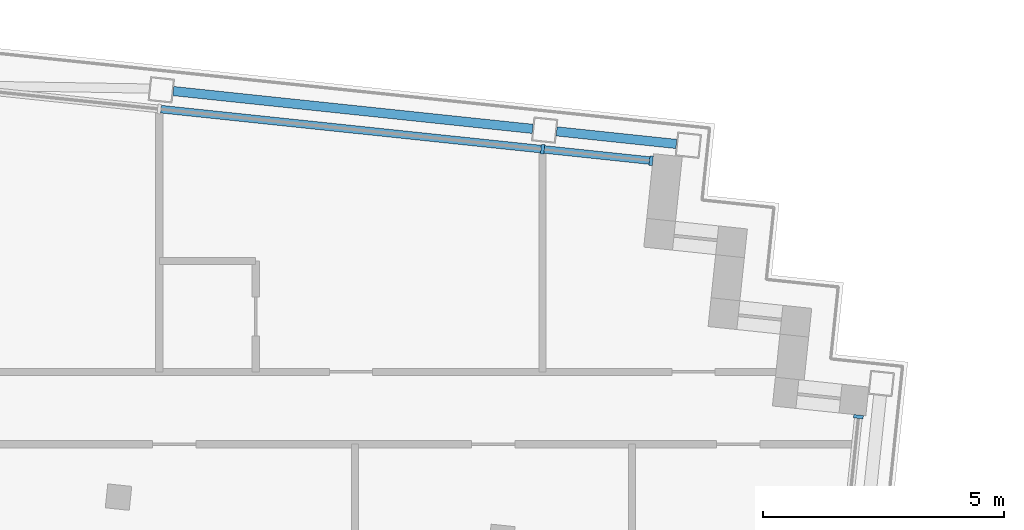
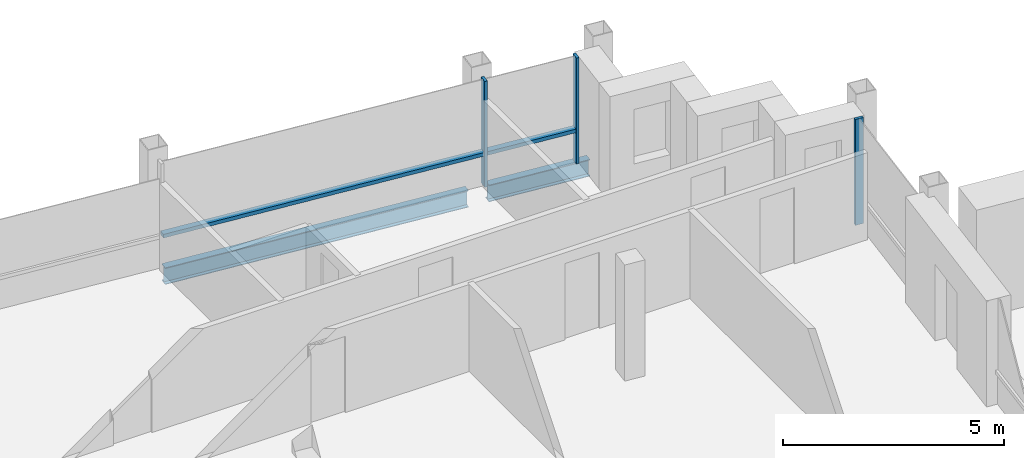
# One storey, part 6 of 17: 5 members, 2 beams, 2 elements without a shape of their own.
"""IFC4 building model written with IfcOpenShell, lengths in metres."""

from ifc_helpers import new_model, si_unit, direction, frame, origin, origin_2d, place, context, subcontext, project, spatial, rectangle, i_section, extrude, material, material_profile, profile_set, type_object, element, aggregate, save


model = new_model("IFC4")

# Units and contexts
model_context = context("Model", 3, precision=1e-05, world=origin(), true_north=direction((0.0, 1.0)))
body_context = subcontext(model_context, "Body", "Model", "MODEL_VIEW")
ifc_project = project(units=[si_unit("LENGTHUNIT", "METRE"), si_unit("AREAUNIT", "SQUARE_METRE"), si_unit("VOLUMEUNIT", "CUBIC_METRE"), si_unit("PLANEANGLEUNIT", "RADIAN"), si_unit("MASSUNIT", "GRAM", prefix="KILO")], contexts=[model_context])

# Site, building, storey
site_placement = place(None, origin())
site = spatial("IfcSite", under=ifc_project, at=site_placement, CompositionType="ELEMENT")
building_placement = place(site_placement, origin())
building = spatial("IfcBuilding", under=site, at=building_placement, Name="Vidyagriha Tower", CompositionType="ELEMENT")
storey_placement = place(building_placement, frame((0.0, 0.0, 269.10009765625)))
storey = spatial("IfcBuildingStorey", under=building, at=storey_placement, Name="L70", CompositionType="ELEMENT", Elevation=269.10009765625)

# Beams
ifc_material_1 = material(Name="Steel ASTM A992 Grade 50", Category="steel")
ifc_material_profile_1 = material_profile(ifc_material_1, i_section(OverallWidth=0.19189453125, OverallDepth=0.46240234375, WebThickness=0.010498046875, FlangeThickness=0.017578125, at=origin_2d()), Name="W18X60")
ifc_profile_set_1 = profile_set([ifc_material_profile_1], Name="Steel ASTM A992 Grade 50")
beam_type = type_object("IfcBeamType", Name="Edge beam W18X60", PredefinedType="SPANDREL", material=ifc_profile_set_1)
beam_1_placement = place(storey_placement, frame((18.130615234375, 19.472412109375, -0.51123046875), z_axis=(0.994519000353, -0.104556003834, 0.0), x_axis=(0.104556003834, 0.994519000353, 0.0)))
element("IfcBeam", 1, at=beam_1_placement, inside=storey, type_object=beam_type, Name="st-beam-L70-NE19", PredefinedType="SPANDREL", context=body_context, shape_type="SweptSolid", body=[
    extrude(i_section(OverallWidth=0.19189453125, OverallDepth=0.46240234375, WebThickness=0.010498046875, FlangeThickness=0.017578125, at=origin_2d()), origin(), (0.0, 0.0, 1.0), 7.5),
])
beam_2_placement = place(storey_placement, frame((26.0869140625, 18.635986328125, -0.51123046875), z_axis=(0.994524701544, -0.104501760842, 0.0), x_axis=(0.104501760842, 0.994524701544, 0.0)))
element("IfcBeam", 2, at=beam_2_placement, inside=storey, type_object=beam_type, Name="st-beam-L70-NE20", PredefinedType="SPANDREL", context=body_context, shape_type="SweptSolid", body=[
    extrude(i_section(OverallWidth=0.19189453125, OverallDepth=0.46240234375, WebThickness=0.010498046875, FlangeThickness=0.017578125, at=origin_2d()), origin(), (0.0, 0.0, 1.0), 2.499755859375),
])

# Curtain wall, members
ifc_material_2 = material(Name="Aluminium and glass curtain wall", Category="aluminium")
curtain_wall_type = type_object("IfcCurtainWallType", Name="Dwelling skin unitised curtain wall", PredefinedType="USERDEFINED", material=ifc_material_2)
curtain_wall_1_placement = place(storey_placement, origin())
curtain_wall_1 = element("IfcCurtainWall", 3, at=curtain_wall_1_placement, inside=storey, type_object=curtain_wall_type, Name="CW1 dwelling skin", ObjectType="UNITISED", PredefinedType="USERDEFINED")
ifc_material_3 = material(Name="Aluminium black anodised", Category="aluminium")
ifc_material_profile_2 = material_profile(ifc_material_3, rectangle(XDim=0.199951171875, YDim=0.070068359375, at=origin_2d()), Name="Mullion 70x200 black aluminium")
ifc_profile_set_2 = profile_set([ifc_material_profile_2], Name="Aluminium black anodised")
member_type_1 = type_object("IfcMemberType", Name="Mullion 70x200 black aluminium", PredefinedType="MULLION", material=ifc_profile_set_2)
member_1_placement = place(storey_placement, frame((28.049072265625, 18.027587890625, 0.0), z_axis=(0.0, 0.0, 1.0), x_axis=(-0.104528852722, -0.994521854435, 0.0)))
member_1 = element("IfcMember", 4, at=member_1_placement, type_object=member_type_1, Name="CW1 mullion 1", PredefinedType="MULLION", context=body_context, shape_type="SweptSolid", body=[
    extrude(rectangle(XDim=0.199951171875, YDim=0.070068359375, at=origin_2d()), origin(), (0.0, 0.0, 1.0), 2.919921875),
])
member_2_placement = place(storey_placement, frame((25.79638671875, 18.264404296875, 0.0), z_axis=(0.0, 0.0, 1.0), x_axis=(-0.104528852722, -0.994521854435, 0.0)))
member_2 = element("IfcMember", 5, at=member_2_placement, type_object=member_type_1, Name="CW1 mullion 2", PredefinedType="MULLION", context=body_context, shape_type="SweptSolid", body=[
    extrude(rectangle(XDim=0.199951171875, YDim=0.070068359375, at=origin_2d()), origin(), (0.0, 0.0, 1.0), 2.919921875),
])

# Curtain wall, member
curtain_wall_2_placement = place(storey_placement, origin())
curtain_wall_2 = element("IfcCurtainWall", 6, at=curtain_wall_2_placement, inside=storey, type_object=curtain_wall_type, Name="CW1 dwelling skin", ObjectType="UNITISED", PredefinedType="USERDEFINED")
member_3_placement = place(storey_placement, frame((32.35205078125, 12.713623046875, 0.0), z_axis=(0.0, 0.0, 1.0), x_axis=(-0.994523205451, 0.10451599791, 0.0)))
member_3 = element("IfcMember", 7, at=member_3_placement, type_object=member_type_1, Name="CW1 mullion 2", PredefinedType="MULLION", context=body_context, shape_type="SweptSolid", body=[
    extrude(rectangle(XDim=0.199951171875, YDim=0.070068359375, at=origin_2d()), origin(), (0.0, 0.0, 1.0), 2.919921875),
])
aggregate(curtain_wall_2, [member_3])

# Member
ifc_material_4 = material(Name="Aluminium black anodised", Category="aluminium")
ifc_material_profile_3 = material_profile(ifc_material_4, rectangle(XDim=0.159912109375, YDim=0.10009765625, at=origin_2d()), Name="Transom 100x160 black aluminium")
ifc_profile_set_3 = profile_set([ifc_material_profile_3], Name="Aluminium black anodised")
member_type_2 = type_object("IfcMemberType", Name="Transom 100x160 black aluminium", PredefinedType="USERDEFINED", material=ifc_profile_set_3)
member_4_placement = place(storey_placement, frame((28.01416015625, 18.03125, 0.89990234375), z_axis=(-0.994518853465, 0.104557400991, 0.0), x_axis=(-0.104557400991, -0.994518853465, 0.0)))
member_4 = element("IfcMember", 8, at=member_4_placement, type_object=member_type_2, Name="CW1 transom 1.1", ObjectType="TRANSOM", PredefinedType="USERDEFINED", context=body_context, shape_type="SweptSolid", body=[
    extrude(rectangle(XDim=0.159912109375, YDim=0.10009765625, at=origin_2d()), origin(), (0.0, 0.0, 1.0), 2.19482421875),
])

member_5_placement = place(storey_placement, frame((25.761474609375, 18.26806640625, 0.89990234375), z_axis=(-0.994522478205, 0.104522917794, 0.0), x_axis=(-0.104522917794, -0.994522478205, 0.0)))
member_5 = element("IfcMember", 9, at=member_5_placement, type_object=member_type_2, Name="CW1 transom 2.1", ObjectType="TRANSOM", PredefinedType="USERDEFINED", context=body_context, shape_type="SweptSolid", body=[
    extrude(rectangle(XDim=0.159912109375, YDim=0.10009765625, at=origin_2d()), origin(), (0.0, 0.0, 1.0), 7.929931640625),
])

aggregate(curtain_wall_1, [member_1, member_2, member_4, member_5])

save(model, "model.ifc")
